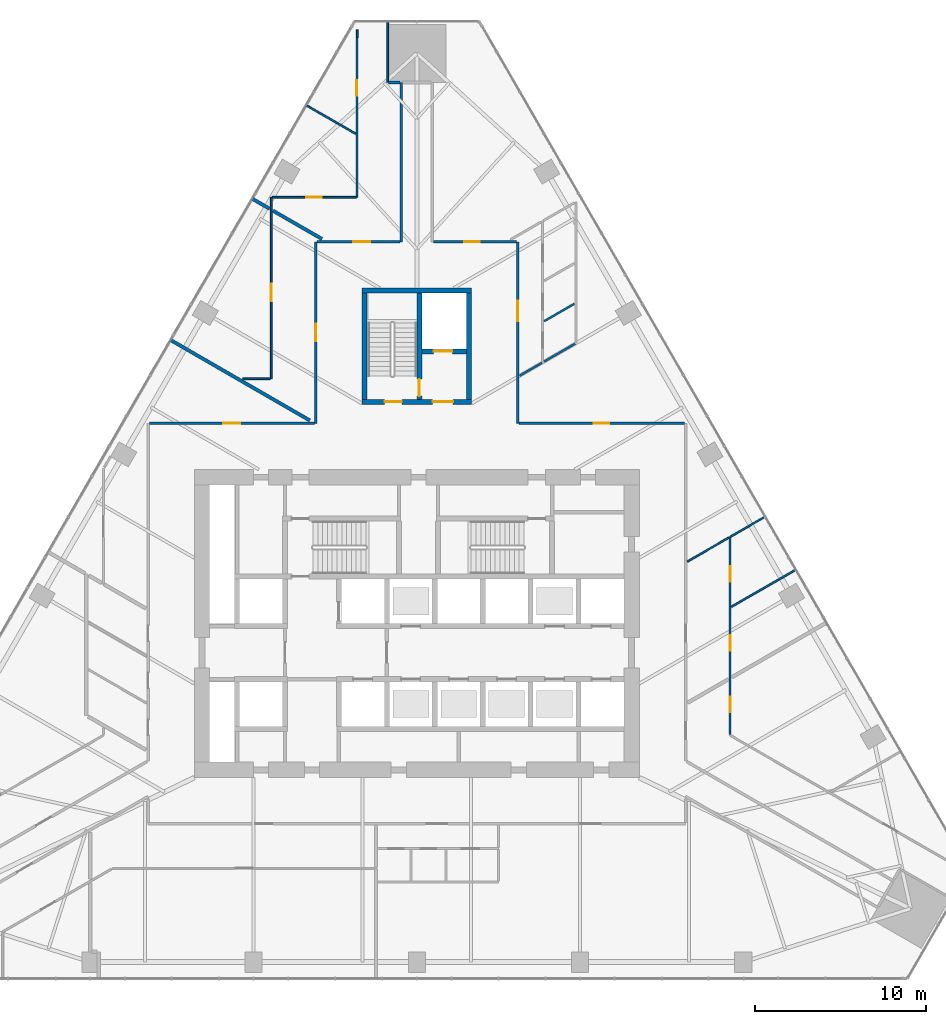
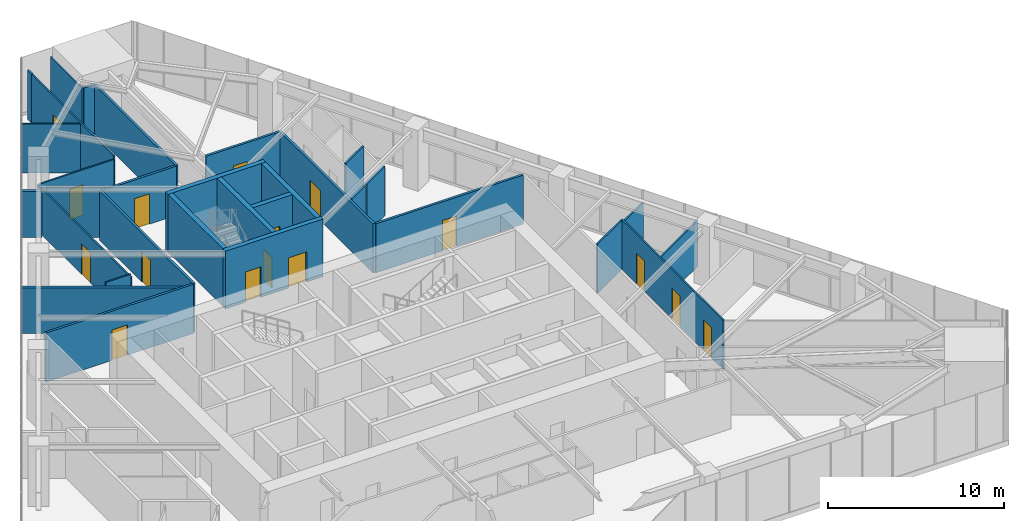
# One storey, part 22 of 25: 31 walls, 16 doors, 16 openings.
"""IFC4 building model written with IfcOpenShell, lengths in metres."""

from ifc_helpers import new_model, si_unit, direction, frame, frame_2d, origin, place, context, subcontext, project, spatial, rectangle, extrude, material, layer, layer_set, type_object, element, fill, save


model = new_model("IFC4")

# Units and contexts
model_context = context("Model", 3, precision=1e-05, world=origin(), true_north=direction((0.0, 1.0)))
body_context = subcontext(model_context, "Body", "Model", "MODEL_VIEW")
ifc_project = project(units=[si_unit("LENGTHUNIT", "METRE"), si_unit("AREAUNIT", "SQUARE_METRE"), si_unit("VOLUMEUNIT", "CUBIC_METRE"), si_unit("PLANEANGLEUNIT", "RADIAN"), si_unit("MASSUNIT", "GRAM", prefix="KILO")], contexts=[model_context])

# Site, building, storey
site_placement = place(None, origin())
site = spatial("IfcSite", under=ifc_project, at=site_placement, CompositionType="ELEMENT")
building_placement = place(site_placement, origin())
building = spatial("IfcBuilding", under=site, at=building_placement, Name="Firuza Gate Tower and Library", CompositionType="ELEMENT")
storey_placement = place(building_placement, frame((0.0, 0.0, 61.0)))
storey = spatial("IfcBuildingStorey", under=building, at=storey_placement, Name="L13", CompositionType="ELEMENT", Elevation=61.0)

# Wall, openings, doors
ifc_material_1 = material(Name="Concrete C80/95", Category="concrete")
ifc_layer_1 = layer(ifc_material_1, 0.300048828125)
ifc_layer_set_1 = layer_set([ifc_layer_1], Name="Core wall 300 C80/95")
wall_type_1 = type_object("IfcWallType", Name="Core wall 300 C80/95", PredefinedType="SHEAR", material=ifc_layer_set_1)
wall_1_placement = place(storey_placement, frame((71.800048828125, 87.949951171875, 0.0), z_axis=(0.0, 0.0, 1.0), x_axis=(1.0, 0.0, 0.0)))
wall_1 = element("IfcWall", 1, at=wall_1_placement, inside=storey, type_object=wall_type_1, Name="Core wall L13 34", PredefinedType="SHEAR", context=body_context, shape_type="SweptSolid", body=[
    extrude(rectangle(XDim=6.39990234375, YDim=0.300048828125, at=frame_2d((3.199951171875, 0.0))), origin(), (0.0, 0.0, 1.0), 4.0),
])
opening_1_placement = place(wall_1_placement, frame((1.324951171875, 0.0, 0.0)))
opening_1 = element("IfcOpeningElement", 2, at=opening_1_placement, cuts=wall_1, Name="Opening L13-K17", PredefinedType="OPENING", context=body_context, shape_type="SweptSolid", body=[
    extrude(rectangle(XDim=1.0, YDim=2.10009765625, at=frame_2d((0.5, 1.050048828125))), frame((0.0, 0.16015625, 0.0), z_axis=(0.0, -1.0, 0.0), x_axis=(1.0, 0.0, 0.0)), (0.0, 0.0, 1.0), 0.320068359375),
])
opening_2_placement = place(wall_1_placement, frame((4.125, 0.0, 0.0)))
opening_2 = element("IfcOpeningElement", 3, at=opening_2_placement, cuts=wall_1, Name="Opening L13-K19", PredefinedType="OPENING", context=body_context, shape_type="SweptSolid", body=[
    extrude(rectangle(XDim=1.199951171875, YDim=2.10009765625, at=frame_2d((0.60009765625, 1.050048828125))), frame((0.0, 0.16015625, 0.0), z_axis=(0.0, -1.0, 0.0), x_axis=(1.0, 0.0, 0.0)), (0.0, 0.0, 1.0), 0.320068359375),
])
ifc_material_2 = material(Name="Steel", Category="steel")
door_type_1 = type_object("IfcDoorType", Name="Fire door 1000x2100 FD90", OperationType="NOTDEFINED", PredefinedType="DOOR", material=ifc_material_2)
door_1_placement = place(opening_1_placement, origin())
door_1 = element("IfcDoor", 4, at=door_1_placement, inside=storey, type_object=door_type_1, Name="Door L13-K17", OperationType="SINGLE_SWING_RIGHT", OverallHeight=2.10009765625, OverallWidth=1.0, PredefinedType="DOOR", context=body_context, shape_type="SweptSolid", body=[
    extrude(rectangle(XDim=1.0, YDim=2.10009765625, at=frame_2d((0.5, 1.050048828125))), frame((0.0, 0.02490234375, 0.0), z_axis=(0.0, -1.0, 0.0), x_axis=(1.0, 0.0, 0.0)), (0.0, 0.0, 1.0), 0.050048828125),
])
fill(opening_1, door_1)
ifc_material_3 = material(Name="Steel", Category="steel")
door_type_2 = type_object("IfcDoorType", Name="Fire door 1200x2100 FD30S", OperationType="NOTDEFINED", PredefinedType="DOOR", material=ifc_material_3)
door_2_placement = place(opening_2_placement, origin())
door_2 = element("IfcDoor", 5, at=door_2_placement, inside=storey, type_object=door_type_2, Name="Door L13-K19", OperationType="SINGLE_SWING_RIGHT", OverallHeight=2.10009765625, OverallWidth=1.199951171875, PredefinedType="DOOR", context=body_context, shape_type="SweptSolid", body=[
    extrude(rectangle(XDim=1.199951171875, YDim=2.10009765625, at=frame_2d((0.60009765625, 1.050048828125))), frame((0.0, 0.02490234375, 0.0), z_axis=(0.0, -1.0, 0.0), x_axis=(1.0, 0.0, 0.0)), (0.0, 0.0, 1.0), 0.050048828125),
])
fill(opening_2, door_2)

# Walls
wall_2_placement = place(storey_placement, frame((71.800048828125, 94.449951171875, 0.0), z_axis=(0.0, 0.0, 1.0), x_axis=(1.0, 0.0, 0.0)))
element("IfcWall", 6, at=wall_2_placement, inside=storey, type_object=wall_type_1, Name="Core wall L13 35", PredefinedType="SHEAR", context=body_context, shape_type="SweptSolid", body=[
    extrude(rectangle(XDim=6.39990234375, YDim=0.300048828125, at=frame_2d((3.199951171875, 0.0))), origin(), (0.0, 0.0, 1.0), 4.0),
])
for number, where, z_axis, x_axis, name in (
    (7, (71.949951171875, 88.10009765625, 0.0), (0.0, 0.0, 1.0), (0.0, 1.0, 0.0), "Core wall L13 36"),
    (8, (78.050048828125, 88.10009765625, 0.0), (0.0, 0.0, 1.0), (0.0, 1.0, 0.0), "Core wall L13 37"),
):
    element("IfcWall", number, at=place(storey_placement, frame(where, z_axis=z_axis, x_axis=x_axis)), inside=storey, type_object=wall_type_1, Name=name, PredefinedType="SHEAR", context=body_context, shape_type="SweptSolid", body=[
        extrude(rectangle(XDim=6.199951171875, YDim=0.300048828125, at=frame_2d((3.10009765625, 0.0))), origin(), (0.0, 0.0, 1.0), 4.0),
    ])

# Wall, opening, door
wall_3_placement = place(storey_placement, frame((75.300048828125, 90.89990234375, 0.0), z_axis=(0.0, 0.0, 1.0), x_axis=(1.0, 0.0, 0.0)))
wall_3 = element("IfcWall", 9, at=wall_3_placement, inside=storey, type_object=wall_type_1, Name="Core wall L13 38", PredefinedType="SHEAR", context=body_context, shape_type="SweptSolid", body=[
    extrude(rectangle(XDim=2.599853515625, YDim=0.300048828125, at=frame_2d((1.2998046875, 0.0))), origin(), (0.0, 0.0, 1.0), 4.0),
])
opening_3_placement = place(wall_3_placement, frame((0.675048828125, 0.0, 0.0)))
opening_3 = element("IfcOpeningElement", 10, at=opening_3_placement, cuts=wall_3, Name="Opening LD-SV1-L13", PredefinedType="OPENING", context=body_context, shape_type="SweptSolid", body=[
    extrude(rectangle(XDim=1.10009765625, YDim=2.10009765625, at=frame_2d((0.550048828125, 1.050048828125))), frame((0.0, 0.16015625, 0.0), z_axis=(0.0, -1.0, 0.0), x_axis=(1.0, 0.0, 0.0)), (0.0, 0.0, 1.0), 0.320068359375),
])
ifc_material_4 = material(Name="Stainless steel", Category="steel")
door_type_3 = type_object("IfcDoorType", Name="Lift landing door 1100x2100", OperationType="DOUBLE_DOOR_SLIDING", PredefinedType="DOOR", material=ifc_material_4)
door_3_placement = place(opening_3_placement, origin())
door_3 = element("IfcDoor", 11, at=door_3_placement, inside=storey, type_object=door_type_3, Name="Landing door SV1 L13", OperationType="DOUBLE_DOOR_SLIDING", OverallHeight=2.10009765625, OverallWidth=1.10009765625, PredefinedType="DOOR", context=body_context, shape_type="SweptSolid", body=[
    extrude(rectangle(XDim=1.10009765625, YDim=2.10009765625, at=frame_2d((0.550048828125, 1.050048828125))), frame((0.0, 0.02490234375, 0.0), z_axis=(0.0, -1.0, 0.0), x_axis=(1.0, 0.0, 0.0)), (0.0, 0.0, 1.0), 0.050048828125),
])
fill(opening_3, door_3)

wall_4_placement = place(storey_placement, frame((75.14990234375, 88.10009765625, 0.0), z_axis=(0.0, 0.0, 1.0), x_axis=(0.0, 1.0, 0.0)))
wall_4 = element("IfcWall", 12, at=wall_4_placement, inside=storey, type_object=wall_type_1, Name="Core wall L13 39", PredefinedType="SHEAR", context=body_context, shape_type="SweptSolid", body=[
    extrude(rectangle(XDim=6.199951171875, YDim=0.300048828125, at=frame_2d((3.10009765625, 0.0))), origin(), (0.0, 0.0, 1.0), 4.0),
])
opening_4_placement = place(wall_4_placement, frame((0.18505859375, 0.0, 0.0)))
opening_4 = element("IfcOpeningElement", 13, at=opening_4_placement, cuts=wall_4, Name="Opening L13-K18", PredefinedType="OPENING", context=body_context, shape_type="SweptSolid", body=[
    extrude(rectangle(XDim=1.0, YDim=2.10009765625, at=frame_2d((0.5, 1.050048828125))), frame((0.0, 0.16015625, 0.0), z_axis=(0.0, -1.0, 0.0), x_axis=(1.0, 0.0, 0.0)), (0.0, 0.0, 1.0), 0.320068359375),
])
door_4_placement = place(opening_4_placement, origin())
door_4 = element("IfcDoor", 14, at=door_4_placement, inside=storey, type_object=door_type_1, Name="Door L13-K18", OperationType="SINGLE_SWING_LEFT", OverallHeight=2.10009765625, OverallWidth=1.0, PredefinedType="DOOR", context=body_context, shape_type="SweptSolid", body=[
    extrude(rectangle(XDim=1.0, YDim=2.10009765625, at=frame_2d((0.5, 1.050048828125))), frame((0.0, 0.02490234375, 0.0), z_axis=(0.0, -1.0, 0.0), x_axis=(1.0, 0.0, 0.0)), (0.0, 0.0, 1.0), 0.050048828125),
])
fill(opening_4, door_4)

ifc_material_5 = material(Name="Gypsum board partition")
ifc_layer_2 = layer(ifc_material_5, 0.14990234375)
ifc_layer_set_2 = layer_set([ifc_layer_2], Name="Corridor wall 150 double board on steel studs")
wall_type_2 = type_object("IfcWallType", Name="Corridor wall 150 double board on steel studs", PredefinedType="PARTITIONING", material=ifc_layer_set_2)
wall_5_placement = place(storey_placement, frame((69.02490234375, 86.699951171875, 0.0), z_axis=(0.0, 0.0, 1.0), x_axis=(-1.0, 0.0, 0.0)))
wall_5 = element("IfcWall", 15, at=wall_5_placement, inside=storey, type_object=wall_type_2, Name="f:L13:w005", PredefinedType="PARTITIONING", context=body_context, shape_type="SweptSolid", body=[
    extrude(rectangle(XDim=9.6494140625, YDim=0.14990234375, at=frame_2d((4.82470703125, 0.0))), origin(), (0.0, 0.0, 1.0), 3.39990234375),
])
opening_5_placement = place(wall_5_placement, frame((4.32470703125, 0.0, 0.0)))
opening_5 = element("IfcOpeningElement", 16, at=opening_5_placement, cuts=wall_5, Name="Opening L13-08", PredefinedType="OPENING", context=body_context, shape_type="SweptSolid", body=[
    extrude(rectangle(XDim=1.0, YDim=2.10009765625, at=frame_2d((0.5, 1.050048828125))), frame((0.0, 0.0849609375, 0.0), z_axis=(0.0, -1.0, 0.0), x_axis=(1.0, 0.0, 0.0)), (0.0, 0.0, 1.0), 0.169921875),
])
ifc_material_6 = material(Name="Steel door and timber leaf", Category="steel")
door_type_4 = type_object("IfcDoorType", Name="Fire door 1000 x 2100 steel frame, timber leaf", OperationType="NOTDEFINED", PredefinedType="DOOR", material=ifc_material_6)
door_5_placement = place(opening_5_placement, origin())
door_5 = element("IfcDoor", 17, at=door_5_placement, inside=storey, type_object=door_type_4, Name="f:L13:d008", OperationType="SINGLE_SWING_LEFT", OverallHeight=2.10009765625, OverallWidth=1.0, PredefinedType="DOOR", context=body_context, shape_type="SweptSolid", body=[
    extrude(rectangle(XDim=1.0, YDim=2.10009765625, at=frame_2d((0.5, 1.050048828125))), frame((0.0, 0.02490234375, 0.0), z_axis=(0.0, -1.0, 0.0), x_axis=(1.0, 0.0, 0.0)), (0.0, 0.0, 1.0), 0.050048828125),
])
fill(opening_5, door_5)

wall_6_placement = place(storey_placement, frame((80.97509765625, 86.699951171875, 0.0), z_axis=(0.0, 0.0, 1.0), x_axis=(1.0, 0.0, 0.0)))
wall_6 = element("IfcWall", 18, at=wall_6_placement, inside=storey, type_object=wall_type_2, Name="f:L13:w006", PredefinedType="PARTITIONING", context=body_context, shape_type="SweptSolid", body=[
    extrude(rectangle(XDim=9.6494140625, YDim=0.14990234375, at=frame_2d((4.82470703125, 0.0))), origin(), (0.0, 0.0, 1.0), 3.39990234375),
])
opening_6_placement = place(wall_6_placement, frame((4.374755859375, 0.0, 0.0)))
opening_6 = element("IfcOpeningElement", 19, at=opening_6_placement, cuts=wall_6, Name="Opening L13-09", PredefinedType="OPENING", context=body_context, shape_type="SweptSolid", body=[
    extrude(rectangle(XDim=0.89990234375, YDim=2.10009765625, at=frame_2d((0.449951171875, 1.050048828125))), frame((0.0, 0.0849609375, 0.0), z_axis=(0.0, -1.0, 0.0), x_axis=(1.0, 0.0, 0.0)), (0.0, 0.0, 1.0), 0.169921875),
])
ifc_material_7 = material(Name="Steel door and timber leaf", Category="steel")
door_type_5 = type_object("IfcDoorType", Name="Fire door 900 x 2100 steel frame, timber leaf", OperationType="NOTDEFINED", PredefinedType="DOOR", material=ifc_material_7)
door_6_placement = place(opening_6_placement, origin())
door_6 = element("IfcDoor", 20, at=door_6_placement, inside=storey, type_object=door_type_5, Name="f:L13:d009", OperationType="SINGLE_SWING_RIGHT", OverallHeight=2.10009765625, OverallWidth=0.89990234375, PredefinedType="DOOR", context=body_context, shape_type="SweptSolid", body=[
    extrude(rectangle(XDim=0.89990234375, YDim=2.10009765625, at=frame_2d((0.449951171875, 1.050048828125))), frame((0.0, 0.02490234375, 0.0), z_axis=(0.0, -1.0, 0.0), x_axis=(1.0, 0.0, 0.0)), (0.0, 0.0, 1.0), 0.050048828125),
])
fill(opening_6, door_6)

wall_7_placement = place(storey_placement, frame((69.175048828125, 97.300048828125, 0.0), z_axis=(0.0, 0.0, 1.0), x_axis=(1.0, 0.0, 0.0)))
wall_7 = element("IfcWall", 21, at=wall_7_placement, inside=storey, type_object=wall_type_2, Name="f:L13:w008", PredefinedType="PARTITIONING", context=body_context, shape_type="SweptSolid", body=[
    extrude(rectangle(XDim=4.849853515625, YDim=0.14990234375, at=frame_2d((2.4248046875, 0.0))), origin(), (0.0, 0.0, 1.0), 3.39990234375),
])
opening_7_placement = place(wall_7_placement, frame((2.107421875, 0.0, 0.0)))
opening_7 = element("IfcOpeningElement", 22, at=opening_7_placement, cuts=wall_7, Name="Opening L13-10", PredefinedType="OPENING", context=body_context, shape_type="SweptSolid", body=[
    extrude(rectangle(XDim=1.0, YDim=2.10009765625, at=frame_2d((0.5, 1.050048828125))), frame((0.0, 0.0849609375, 0.0), z_axis=(0.0, -1.0, 0.0), x_axis=(1.0, 0.0, 0.0)), (0.0, 0.0, 1.0), 0.169921875),
])
door_7_placement = place(opening_7_placement, origin())
door_7 = element("IfcDoor", 23, at=door_7_placement, inside=storey, type_object=door_type_4, Name="f:L13:d010", OperationType="SINGLE_SWING_RIGHT", OverallHeight=2.10009765625, OverallWidth=1.0, PredefinedType="DOOR", context=body_context, shape_type="SweptSolid", body=[
    extrude(rectangle(XDim=1.0, YDim=2.10009765625, at=frame_2d((0.5, 1.050048828125))), frame((0.0, 0.02490234375, 0.0), z_axis=(0.0, -1.0, 0.0), x_axis=(1.0, 0.0, 0.0)), (0.0, 0.0, 1.0), 0.050048828125),
])
fill(opening_7, door_7)

wall_8_placement = place(storey_placement, frame((75.97509765625, 97.300048828125, 0.0), z_axis=(0.0, 0.0, 1.0), x_axis=(1.0, 0.0, 0.0)))
wall_8 = element("IfcWall", 24, at=wall_8_placement, inside=storey, type_object=wall_type_2, Name="f:L13:w009", PredefinedType="PARTITIONING", context=body_context, shape_type="SweptSolid", body=[
    extrude(rectangle(XDim=4.849853515625, YDim=0.14990234375, at=frame_2d((2.4248046875, 0.0))), origin(), (0.0, 0.0, 1.0), 3.39990234375),
])
opening_8_placement = place(wall_8_placement, frame((1.79248046875, 0.0, 0.0)))
opening_8 = element("IfcOpeningElement", 25, at=opening_8_placement, cuts=wall_8, Name="Opening L13-11", PredefinedType="OPENING", context=body_context, shape_type="SweptSolid", body=[
    extrude(rectangle(XDim=0.89990234375, YDim=2.10009765625, at=frame_2d((0.449951171875, 1.050048828125))), frame((0.0, 0.0849609375, 0.0), z_axis=(0.0, -1.0, 0.0), x_axis=(1.0, 0.0, 0.0)), (0.0, 0.0, 1.0), 0.169921875),
])
door_8_placement = place(opening_8_placement, origin())
door_8 = element("IfcDoor", 26, at=door_8_placement, inside=storey, type_object=door_type_5, Name="f:L13:d011", OperationType="SINGLE_SWING_LEFT", OverallHeight=2.10009765625, OverallWidth=0.89990234375, PredefinedType="DOOR", context=body_context, shape_type="SweptSolid", body=[
    extrude(rectangle(XDim=0.89990234375, YDim=2.10009765625, at=frame_2d((0.449951171875, 1.050048828125))), frame((0.0, 0.02490234375, 0.0), z_axis=(0.0, -1.0, 0.0), x_axis=(1.0, 0.0, 0.0)), (0.0, 0.0, 1.0), 0.050048828125),
])
fill(opening_8, door_8)

# Wall
wall_9_placement = place(storey_placement, frame((73.3505859375, 106.60693359375, 0.0), z_axis=(0.0, 0.0, 1.0), x_axis=(1.0, 0.0, 0.0)))
element("IfcWall", 27, at=wall_9_placement, inside=storey, type_object=wall_type_2, Name="f:L13:w011", PredefinedType="PARTITIONING", context=body_context, shape_type="SweptSolid", body=[
    extrude(rectangle(XDim=0.67431640625, YDim=0.14990234375, at=frame_2d((0.337158203125, 0.0))), origin(), (0.0, 0.0, 1.0), 3.39990234375),
])

# Wall, opening, door
wall_10_placement = place(storey_placement, frame((80.89990234375, 97.300048828125, 0.0), z_axis=(0.0, 0.0, 1.0), x_axis=(0.0, -1.0, 0.0)))
wall_10 = element("IfcWall", 28, at=wall_10_placement, inside=storey, type_object=wall_type_2, Name="f:L13:w033", PredefinedType="PARTITIONING", context=body_context, shape_type="SweptSolid", body=[
    extrude(rectangle(XDim=10.60009765625, YDim=0.14990234375, at=frame_2d((5.300048828125, 0.0))), origin(), (0.0, 0.0, 1.0), 3.39990234375),
])
opening_9_placement = place(wall_10_placement, frame((3.443603515625, 0.0, 0.0)))
opening_9 = element("IfcOpeningElement", 29, at=opening_9_placement, cuts=wall_10, Name="Opening L13-25", PredefinedType="OPENING", context=body_context, shape_type="SweptSolid", body=[
    extrude(rectangle(XDim=1.199951171875, YDim=2.10009765625, at=frame_2d((0.60009765625, 1.050048828125))), frame((0.0, 0.0849609375, 0.0), z_axis=(0.0, -1.0, 0.0), x_axis=(1.0, 0.0, 0.0)), (0.0, 0.0, 1.0), 0.169921875),
])
ifc_material_8 = material(Name="Steel door and timber leaf", Category="steel")
door_type_6 = type_object("IfcDoorType", Name="Fire door 1200 x 2100 steel frame, double leaf", OperationType="NOTDEFINED", PredefinedType="DOOR", material=ifc_material_8)
door_9_placement = place(opening_9_placement, origin())
door_9 = element("IfcDoor", 30, at=door_9_placement, inside=storey, type_object=door_type_6, Name="f:L13:d025", OperationType="DOUBLE_DOOR_SINGLE_SWING", OverallHeight=2.10009765625, OverallWidth=1.199951171875, PredefinedType="DOOR", context=body_context, shape_type="SweptSolid", body=[
    extrude(rectangle(XDim=1.199951171875, YDim=2.10009765625, at=frame_2d((0.60009765625, 1.050048828125))), frame((0.0, 0.02490234375, 0.0), z_axis=(0.0, -1.0, 0.0), x_axis=(1.0, 0.0, 0.0)), (0.0, 0.0, 1.0), 0.050048828125),
])
fill(opening_9, door_9)

# Wall
wall_11_placement = place(storey_placement, frame((74.10009765625, 97.300048828125, 0.0), z_axis=(0.0, 0.0, 1.0), x_axis=(0.0, 1.0, 0.0)))
element("IfcWall", 31, at=wall_11_placement, inside=storey, type_object=wall_type_2, Name="f:L13:w038", PredefinedType="PARTITIONING", context=body_context, shape_type="SweptSolid", body=[
    extrude(rectangle(XDim=9.306640625, YDim=0.14990234375, at=frame_2d((4.6533203125, 0.0))), origin(), (0.0, 0.0, 1.0), 3.39990234375),
])

# Wall, opening, door
wall_12_placement = place(storey_placement, frame((69.10009765625, 86.699951171875, 0.0), z_axis=(0.0, 0.0, 1.0), x_axis=(0.0, 1.0, 0.0)))
wall_12 = element("IfcWall", 32, at=wall_12_placement, inside=storey, type_object=wall_type_2, Name="f:L13:w043", PredefinedType="PARTITIONING", context=body_context, shape_type="SweptSolid", body=[
    extrude(rectangle(XDim=10.60009765625, YDim=0.14990234375, at=frame_2d((5.300048828125, 0.0))), origin(), (0.0, 0.0, 1.0), 3.39990234375),
])
opening_10_placement = place(wall_12_placement, frame((4.800048828125, 0.0, 0.0)))
opening_10 = element("IfcOpeningElement", 33, at=opening_10_placement, cuts=wall_12, Name="Opening L13-27", PredefinedType="OPENING", context=body_context, shape_type="SweptSolid", body=[
    extrude(rectangle(XDim=1.0, YDim=2.10009765625, at=frame_2d((0.5, 1.050048828125))), frame((0.0, 0.0849609375, 0.0), z_axis=(0.0, -1.0, 0.0), x_axis=(1.0, 0.0, 0.0)), (0.0, 0.0, 1.0), 0.169921875),
])
door_10_placement = place(opening_10_placement, origin())
door_10 = element("IfcDoor", 34, at=door_10_placement, inside=storey, type_object=door_type_4, Name="f:L13:d027", OperationType="SINGLE_SWING_RIGHT", OverallHeight=2.10009765625, OverallWidth=1.0, PredefinedType="DOOR", context=body_context, shape_type="SweptSolid", body=[
    extrude(rectangle(XDim=1.0, YDim=2.10009765625, at=frame_2d((0.5, 1.050048828125))), frame((0.0, 0.02490234375, 0.0), z_axis=(0.0, -1.0, 0.0), x_axis=(1.0, 0.0, 0.0)), (0.0, 0.0, 1.0), 0.050048828125),
])
fill(opening_10, door_10)

# Walls
ifc_material_9 = material(Name="Gypsum board partition")
ifc_layer_3 = layer(ifc_material_9, 0.199951171875)
ifc_layer_set_3 = layer_set([ifc_layer_3], Name="Demising wall 200 acoustic double stud")
wall_type_3 = type_object("IfcWallType", Name="Demising wall 200 acoustic double stud", PredefinedType="PARTITIONING", material=ifc_layer_set_3)
wall_13_placement = place(storey_placement, frame((69.4599609375, 97.46484375, 0.0), z_axis=(0.0, 0.0, 1.0), x_axis=(-0.866027998537, 0.499995505729, 0.0)))
element("IfcWall", 35, at=wall_13_placement, inside=storey, type_object=wall_type_3, Name="f:L13:w055", PredefinedType="PARTITIONING", context=body_context, shape_type="SweptSolid", body=[
    extrude(rectangle(XDim=3.30224609375, YDim=0.199951171875, at=frame_2d((1.651123046875, 0.0))), origin(), (0.0, 0.0, 1.0), 3.39990234375),
])
wall_14_placement = place(storey_placement, frame((68.7509765625, 86.865234375, 0.0), z_axis=(0.0, 0.0, 1.0), x_axis=(-0.8660257632, 0.499999377474, 0.0)))
element("IfcWall", 36, at=wall_14_placement, inside=storey, type_object=wall_type_3, Name="f:L13:w056", PredefinedType="PARTITIONING", context=body_context, shape_type="SweptSolid", body=[
    extrude(rectangle(XDim=9.38671875, YDim=0.199951171875, at=frame_2d((4.693359375, 0.0))), origin(), (0.0, 0.0, 1.0), 3.1650390625),
])
wall_15_placement = place(storey_placement, frame((66.39990234375, 99.2314453125, 0.0), z_axis=(0.0, 0.0, 1.0), x_axis=(-0.86600796803, 0.500030198396, 0.0)))
element("IfcWall", 37, at=wall_15_placement, inside=storey, type_object=wall_type_3, Name="f:L13:w076", PredefinedType="PARTITIONING", context=body_context, shape_type="SweptSolid", body=[
    extrude(rectangle(XDim=1.16748046875, YDim=0.199951171875, at=frame_2d((0.583740234375, 0.0))), origin(), (0.0, 0.0, 1.0), 3.1650390625),
])
ifc_material_10 = material(Name="Gypsum board partition")
ifc_layer_4 = layer(ifc_material_10, 0.10009765625)
ifc_layer_set_4 = layer_set([ifc_layer_4], Name="Partition 100 gypsum board on steel studs")
wall_type_4 = type_object("IfcWallType", Name="Partition 100 gypsum board on steel studs", PredefinedType="PARTITIONING", material=ifc_layer_set_4)
wall_16_placement = place(storey_placement, frame((64.8232421875, 89.300048828125, 0.0), z_axis=(0.0, 0.0, 1.0), x_axis=(1.0, 0.0, 0.0)))
element("IfcWall", 38, at=wall_16_placement, inside=storey, type_object=wall_type_4, Name="f:L13:w007", PredefinedType="PARTITIONING", context=body_context, shape_type="SweptSolid", body=[
    extrude(rectangle(XDim=1.626708984375, YDim=0.10009765625, at=frame_2d((0.8134765625, 0.0))), origin(), (0.0, 0.0, 1.0), 3.39990234375),
])

# Wall, opening, door
wall_17_placement = place(storey_placement, frame((66.550537109375, 99.89990234375, 0.0), z_axis=(0.0, 0.0, 1.0), x_axis=(1.0, 0.0, 0.0)))
wall_17 = element("IfcWall", 39, at=wall_17_placement, inside=storey, type_object=wall_type_4, Name="f:L13:w010", PredefinedType="PARTITIONING", context=body_context, shape_type="SweptSolid", body=[
    extrude(rectangle(XDim=4.8994140625, YDim=0.10009765625, at=frame_2d((2.44970703125, 0.0))), origin(), (0.0, 0.0, 1.0), 3.1650390625),
])
opening_11_placement = place(wall_17_placement, frame((1.999755859375, 0.0, 0.0)))
opening_11 = element("IfcOpeningElement", 40, at=opening_11_placement, cuts=wall_17, Name="Opening L13-12", PredefinedType="OPENING", context=body_context, shape_type="SweptSolid", body=[
    extrude(rectangle(XDim=0.89990234375, YDim=2.10009765625, at=frame_2d((0.449951171875, 1.050048828125))), frame((0.0, 0.06005859375, 0.0), z_axis=(0.0, -1.0, 0.0), x_axis=(1.0, 0.0, 0.0)), (0.0, 0.0, 1.0), 0.1201171875),
])
ifc_material_11 = material(Name="Timber door", Category="wood")
door_type_7 = type_object("IfcDoorType", Name="Door 900 x 2100 timber leaf", OperationType="NOTDEFINED", PredefinedType="DOOR", material=ifc_material_11)
door_11_placement = place(opening_11_placement, origin())
door_11 = element("IfcDoor", 41, at=door_11_placement, inside=storey, type_object=door_type_7, Name="f:L13:d012", OperationType="SINGLE_SWING_RIGHT", OverallHeight=2.10009765625, OverallWidth=0.89990234375, PredefinedType="DOOR", context=body_context, shape_type="SweptSolid", body=[
    extrude(rectangle(XDim=0.89990234375, YDim=2.10009765625, at=frame_2d((0.449951171875, 1.050048828125))), frame((0.0, 0.02490234375, 0.0), z_axis=(0.0, -1.0, 0.0), x_axis=(1.0, 0.0, 0.0)), (0.0, 0.0, 1.0), 0.050048828125),
])
fill(opening_11, door_11)

# Walls
wall_18_placement = place(storey_placement, frame((93.376220703125, 75.975830078125, 0.0), z_axis=(0.0, 0.0, 1.0), x_axis=(0.866006192811, 0.500033272906, 0.0)))
element("IfcWall", 42, at=wall_18_placement, inside=storey, type_object=wall_type_4, Name="f:L13:w014", PredefinedType="PARTITIONING", context=body_context, shape_type="SweptSolid", body=[
    extrude(rectangle(XDim=4.328857421875, YDim=0.10009765625, at=frame_2d((2.16455078125, 0.0))), origin(), (0.0, 0.0, 1.0), 3.1650390625),
])
wall_19_placement = place(storey_placement, frame((90.80078125, 78.6181640625, 0.0), z_axis=(0.0, 0.0, 1.0), x_axis=(0.866028733576, 0.499994232587, 0.0)))
element("IfcWall", 43, at=wall_19_placement, inside=storey, type_object=wall_type_4, Name="f:L13:w015", PredefinedType="PARTITIONING", context=body_context, shape_type="SweptSolid", body=[
    extrude(rectangle(XDim=2.79931640625, YDim=0.10009765625, at=frame_2d((1.399658203125, 0.0))), origin(), (0.0, 0.0, 1.0), 3.39990234375),
])

# Wall, openings, doors
wall_20_placement = place(storey_placement, frame((93.300048828125, 80.060791015625, 0.0), z_axis=(0.0, 0.0, 1.0), x_axis=(0.0, -1.0, 0.0)))
wall_20 = element("IfcWall", 44, at=wall_20_placement, inside=storey, type_object=wall_type_4, Name="f:L13:w028", PredefinedType="PARTITIONING", context=body_context, shape_type="SweptSolid", body=[
    extrude(rectangle(XDim=11.527099609375, YDim=0.10009765625, at=frame_2d((5.763671875, 0.0))), origin(), (0.0, 0.0, 1.0), 3.39990234375),
])
opening_12_placement = place(wall_20_placement, frame((1.7158203125, 0.0, 0.0)))
opening_12 = element("IfcOpeningElement", 45, at=opening_12_placement, cuts=wall_20, Name="Opening L13-17", PredefinedType="OPENING", context=body_context, shape_type="SweptSolid", body=[
    extrude(rectangle(XDim=0.89990234375, YDim=2.10009765625, at=frame_2d((0.449951171875, 1.050048828125))), frame((0.0, 0.06005859375, 0.0), z_axis=(0.0, -1.0, 0.0), x_axis=(1.0, 0.0, 0.0)), (0.0, 0.0, 1.0), 0.1201171875),
])
opening_13_placement = place(wall_20_placement, frame((5.740966796875, 0.0, 0.0)))
opening_13 = element("IfcOpeningElement", 46, at=opening_13_placement, cuts=wall_20, Name="Opening L13-18", PredefinedType="OPENING", context=body_context, shape_type="SweptSolid", body=[
    extrude(rectangle(XDim=0.89990234375, YDim=2.10009765625, at=frame_2d((0.449951171875, 1.050048828125))), frame((0.0, 0.06005859375, 0.0), z_axis=(0.0, -1.0, 0.0), x_axis=(1.0, 0.0, 0.0)), (0.0, 0.0, 1.0), 0.1201171875),
])
opening_14_placement = place(wall_20_placement, frame((9.342041015625, 0.0, 0.0)))
opening_14 = element("IfcOpeningElement", 47, at=opening_14_placement, cuts=wall_20, Name="Opening L13-19", PredefinedType="OPENING", context=body_context, shape_type="SweptSolid", body=[
    extrude(rectangle(XDim=0.89990234375, YDim=2.10009765625, at=frame_2d((0.449951171875, 1.050048828125))), frame((0.0, 0.06005859375, 0.0), z_axis=(0.0, -1.0, 0.0), x_axis=(1.0, 0.0, 0.0)), (0.0, 0.0, 1.0), 0.1201171875),
])
door_12_placement = place(opening_12_placement, origin())
door_12 = element("IfcDoor", 48, at=door_12_placement, inside=storey, type_object=door_type_7, Name="f:L13:d017", OperationType="SINGLE_SWING_RIGHT", OverallHeight=2.10009765625, OverallWidth=0.89990234375, PredefinedType="DOOR", context=body_context, shape_type="SweptSolid", body=[
    extrude(rectangle(XDim=0.89990234375, YDim=2.10009765625, at=frame_2d((0.449951171875, 1.050048828125))), frame((0.0, 0.02490234375, 0.0), z_axis=(0.0, -1.0, 0.0), x_axis=(1.0, 0.0, 0.0)), (0.0, 0.0, 1.0), 0.050048828125),
])
fill(opening_12, door_12)
door_13_placement = place(opening_13_placement, origin())
door_13 = element("IfcDoor", 49, at=door_13_placement, inside=storey, type_object=door_type_7, Name="f:L13:d018", OperationType="SINGLE_SWING_LEFT", OverallHeight=2.10009765625, OverallWidth=0.89990234375, PredefinedType="DOOR", context=body_context, shape_type="SweptSolid", body=[
    extrude(rectangle(XDim=0.89990234375, YDim=2.10009765625, at=frame_2d((0.449951171875, 1.050048828125))), frame((0.0, 0.02490234375, 0.0), z_axis=(0.0, -1.0, 0.0), x_axis=(1.0, 0.0, 0.0)), (0.0, 0.0, 1.0), 0.050048828125),
])
fill(opening_13, door_13)
door_14_placement = place(opening_14_placement, origin())
door_14 = element("IfcDoor", 50, at=door_14_placement, inside=storey, type_object=door_type_7, Name="f:L13:d019", OperationType="SINGLE_SWING_LEFT", OverallHeight=2.10009765625, OverallWidth=0.89990234375, PredefinedType="DOOR", context=body_context, shape_type="SweptSolid", body=[
    extrude(rectangle(XDim=0.89990234375, YDim=2.10009765625, at=frame_2d((0.449951171875, 1.050048828125))), frame((0.0, 0.02490234375, 0.0), z_axis=(0.0, -1.0, 0.0), x_axis=(1.0, 0.0, 0.0)), (0.0, 0.0, 1.0), 0.050048828125),
])
fill(opening_14, door_14)

# Walls
wall_21_placement = place(storey_placement, frame((73.300048828125, 106.607177734375, 0.0), z_axis=(0.0, 0.0, 1.0), x_axis=(0.0, 1.0, 0.0)))
element("IfcWall", 51, at=wall_21_placement, inside=storey, type_object=wall_type_4, Name="f:L13:w039", PredefinedType="PARTITIONING", context=body_context, shape_type="SweptSolid", body=[
    extrude(rectangle(XDim=3.5595703125, YDim=0.10009765625, at=frame_2d((1.77978515625, 0.0))), origin(), (0.0, 0.0, 1.0), 3.39990234375),
])
wall_22_placement = place(storey_placement, frame((71.51904296875, 109.206787109375, 0.0), z_axis=(0.0, 0.0, 1.0), x_axis=(0.0, 1.0, 0.0)))
element("IfcWall", 52, at=wall_22_placement, inside=storey, type_object=wall_type_4, Name="f:L13:w041", PredefinedType="PARTITIONING", context=body_context, shape_type="SweptSolid", body=[
    extrude(rectangle(XDim=0.47314453125, YDim=0.10009765625, at=frame_2d((0.236572265625, 0.0))), origin(), (0.0, 0.0, 1.0), 3.39990234375),
])

# Wall, opening, door
wall_23_placement = place(storey_placement, frame((71.5, 109.206298828125, 0.0), z_axis=(0.0, 0.0, 1.0), x_axis=(0.0, -1.0, 0.0)))
wall_23 = element("IfcWall", 53, at=wall_23_placement, inside=storey, type_object=wall_type_4, Name="f:L13:w042", PredefinedType="PARTITIONING", context=body_context, shape_type="SweptSolid", body=[
    extrude(rectangle(XDim=9.306396484375, YDim=0.10009765625, at=frame_2d((4.6533203125, 0.0))), origin(), (0.0, 0.0, 1.0), 3.39990234375),
])
opening_15_placement = place(wall_23_placement, frame((2.471435546875, 0.0, 0.0)))
opening_15 = element("IfcOpeningElement", 54, at=opening_15_placement, cuts=wall_23, Name="Opening L13-26", PredefinedType="OPENING", context=body_context, shape_type="SweptSolid", body=[
    extrude(rectangle(XDim=0.89990234375, YDim=2.10009765625, at=frame_2d((0.449951171875, 1.050048828125))), frame((0.0, 0.06005859375, 0.0), z_axis=(0.0, -1.0, 0.0), x_axis=(1.0, 0.0, 0.0)), (0.0, 0.0, 1.0), 0.1201171875),
])
door_15_placement = place(opening_15_placement, origin())
door_15 = element("IfcDoor", 55, at=door_15_placement, inside=storey, type_object=door_type_7, Name="f:L13:d026", OperationType="SINGLE_SWING_RIGHT", OverallHeight=2.10009765625, OverallWidth=0.89990234375, PredefinedType="DOOR", context=body_context, shape_type="SweptSolid", body=[
    extrude(rectangle(XDim=0.89990234375, YDim=2.10009765625, at=frame_2d((0.449951171875, 1.050048828125))), frame((0.0, 0.02490234375, 0.0), z_axis=(0.0, -1.0, 0.0), x_axis=(1.0, 0.0, 0.0)), (0.0, 0.0, 1.0), 0.050048828125),
])
fill(opening_15, door_15)

wall_24_placement = place(storey_placement, frame((66.5, 99.8994140625, 0.0), z_axis=(0.0, 0.0, 1.0), x_axis=(0.0, -1.0, 0.0)))
wall_24 = element("IfcWall", 56, at=wall_24_placement, inside=storey, type_object=wall_type_4, Name="f:L13:w044", PredefinedType="PARTITIONING", context=body_context, shape_type="SweptSolid", body=[
    extrude(rectangle(XDim=10.599365234375, YDim=0.10009765625, at=frame_2d((5.2998046875, 0.0))), origin(), (0.0, 0.0, 1.0), 3.1650390625),
])
opening_16_placement = place(wall_24_placement, frame((5.0625, 0.0, 0.0)))
opening_16 = element("IfcOpeningElement", 57, at=opening_16_placement, cuts=wall_24, Name="Opening L13-28", PredefinedType="OPENING", context=body_context, shape_type="SweptSolid", body=[
    extrude(rectangle(XDim=1.0, YDim=2.10009765625, at=frame_2d((0.5, 1.050048828125))), frame((0.0, 0.06005859375, 0.0), z_axis=(0.0, -1.0, 0.0), x_axis=(1.0, 0.0, 0.0)), (0.0, 0.0, 1.0), 0.1201171875),
])
ifc_material_12 = material(Name="Timber door", Category="wood")
door_type_8 = type_object("IfcDoorType", Name="Door 1000 x 2100 timber leaf", OperationType="NOTDEFINED", PredefinedType="DOOR", material=ifc_material_12)
door_16_placement = place(opening_16_placement, origin())
door_16 = element("IfcDoor", 58, at=door_16_placement, inside=storey, type_object=door_type_8, Name="f:L13:d028", OperationType="SINGLE_SWING_RIGHT", OverallHeight=2.10009765625, OverallWidth=1.0, PredefinedType="DOOR", context=body_context, shape_type="SweptSolid", body=[
    extrude(rectangle(XDim=1.0, YDim=2.10009765625, at=frame_2d((0.5, 1.050048828125))), frame((0.0, 0.02490234375, 0.0), z_axis=(0.0, -1.0, 0.0), x_axis=(1.0, 0.0, 0.0)), (0.0, 0.0, 1.0), 0.050048828125),
])
fill(opening_16, door_16)

# Walls
wall_25_placement = place(storey_placement, frame((71.423828125, 103.610107421875, 0.0), z_axis=(0.0, 0.0, 1.0), x_axis=(-0.866004823592, 0.500035644245, 0.0)))
element("IfcWall", 59, at=wall_25_placement, inside=storey, type_object=wall_type_4, Name="f:L13:w054", PredefinedType="PARTITIONING", context=body_context, shape_type="SweptSolid", body=[
    extrude(rectangle(XDim=3.328857421875, YDim=0.10009765625, at=frame_2d((1.66455078125, 0.0))), origin(), (0.0, 0.0, 1.0), 3.39990234375),
])
wall_26_placement = place(storey_placement, frame((93.33740234375, 80.082763671875, 0.0), z_axis=(0.0, 0.0, 1.0), x_axis=(0.866028885721, 0.49999396906, 0.0)))
element("IfcWall", 60, at=wall_26_placement, inside=storey, type_object=wall_type_4, Name="f:L13:w070", PredefinedType="PARTITIONING", context=body_context, shape_type="SweptSolid", body=[
    extrude(rectangle(XDim=2.30908203125, YDim=0.10009765625, at=frame_2d((1.154541015625, 0.0))), origin(), (0.0, 0.0, 1.0), 3.1650390625),
])
ifc_material_13 = material(Name="Gypsum board partition")
ifc_layer_5 = layer(ifc_material_13, 0.1201171875)
ifc_layer_set_5 = layer_set([ifc_layer_5], Name="Wet-area partition 120 moisture-resistant board")
wall_type_5 = type_object("IfcWallType", Name="Wet-area partition 120 moisture-resistant board", PredefinedType="PARTITIONING", material=ifc_layer_set_5)
wall_27_placement = place(storey_placement, frame((81.009765625, 89.478759765625, 0.0), z_axis=(0.0, 0.0, 1.0), x_axis=(0.866055123991, 0.49994851956, 0.0)))
element("IfcWall", 61, at=wall_27_placement, inside=storey, type_object=wall_type_5, Name="f:L13:w022", PredefinedType="PARTITIONING", context=body_context, shape_type="SweptSolid", body=[
    extrude(rectangle(XDim=1.495849609375, YDim=0.1201171875, at=frame_2d((0.748046875, 0.0))), origin(), (0.0, 0.0, 1.0), 3.39990234375),
])
wall_28_placement = place(storey_placement, frame((82.44482421875, 92.666259765625, 0.0), z_axis=(0.0, 0.0, 1.0), x_axis=(0.866017611601, 0.500013496215, 0.0)))
element("IfcWall", 62, at=wall_28_placement, inside=storey, type_object=wall_type_5, Name="f:L13:w023", PredefinedType="PARTITIONING", context=body_context, shape_type="SweptSolid", body=[
    extrude(rectangle(XDim=2.033203125, YDim=0.1201171875, at=frame_2d((1.0166015625, 0.0))), origin(), (0.0, 0.0, 1.0), 3.39990234375),
])
wall_29_placement = place(storey_placement, frame((82.43994140625, 90.304443359375, 0.0), z_axis=(0.0, 0.0, 1.0), x_axis=(0.866044773228, 0.499966449638, 0.0)))
element("IfcWall", 63, at=wall_29_placement, inside=storey, type_object=wall_type_5, Name="f:L13:w073", PredefinedType="PARTITIONING", context=body_context, shape_type="SweptSolid", body=[
    extrude(rectangle(XDim=2.078857421875, YDim=0.1201171875, at=frame_2d((1.03955078125, 0.0))), origin(), (0.0, 0.0, 1.0), 3.39990234375),
])

save(model, "model.ifc")
